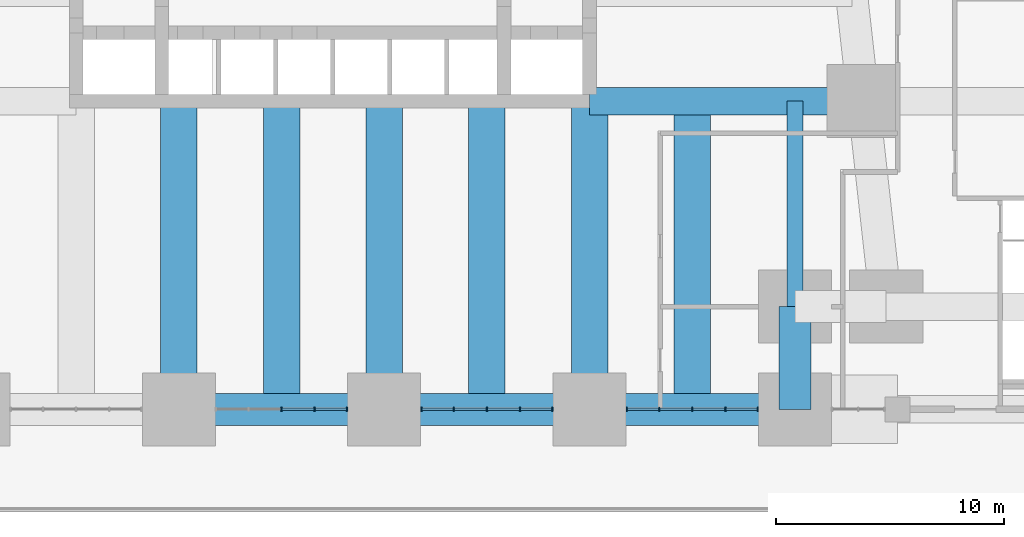
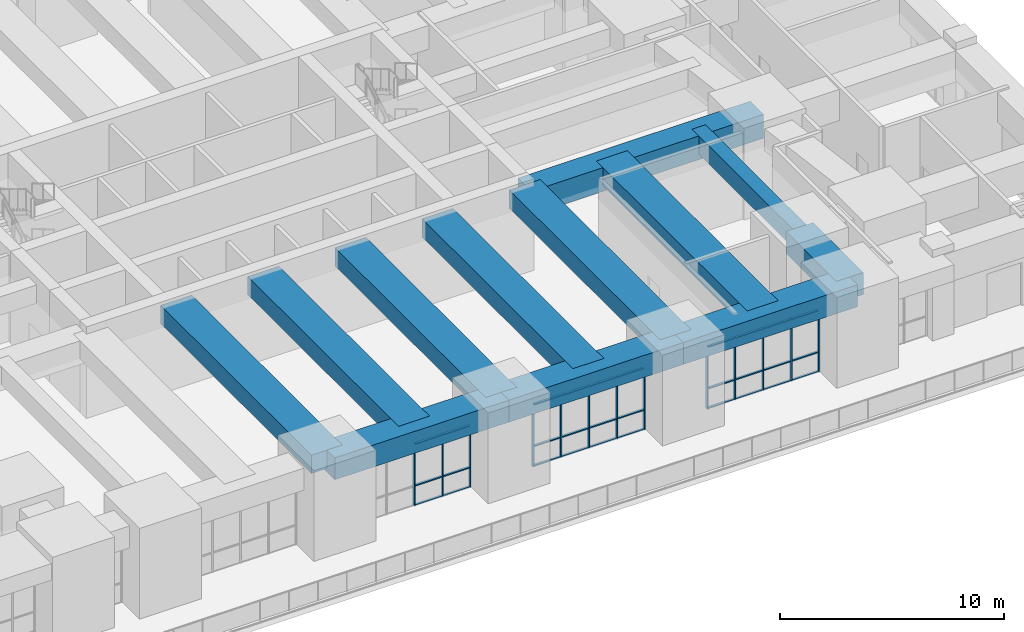
# One storey, part 6 of 22: 43 members, 12 beams, 3 elements without a shape of their own.
"""IFC4 building model written with IfcOpenShell, lengths in metres."""

from ifc_helpers import new_model, si_unit, direction, frame, origin, origin_2d, place, context, subcontext, project, spatial, rectangle, extrude, material, material_profile, profile_set, type_object, element, aggregate, save


model = new_model("IFC4")

# Units and contexts
model_context = context("Model", 3, precision=1e-05, world=origin(), true_north=direction((0.0, 1.0)))
body_context = subcontext(model_context, "Body", "Model", "MODEL_VIEW")
ifc_project = project(units=[si_unit("LENGTHUNIT", "METRE"), si_unit("AREAUNIT", "SQUARE_METRE"), si_unit("VOLUMEUNIT", "CUBIC_METRE"), si_unit("PLANEANGLEUNIT", "RADIAN"), si_unit("MASSUNIT", "GRAM", prefix="KILO")], contexts=[model_context])

# Site, building, storey
site_placement = place(None, origin())
site = spatial("IfcSite", under=ifc_project, at=site_placement, CompositionType="ELEMENT")
building_placement = place(site_placement, origin())
building = spatial("IfcBuilding", under=site, at=building_placement, Name="Kilele Tower Hotel", CompositionType="ELEMENT")
storey_placement = place(building_placement, frame((0.0, 0.0, 19.0)))
storey = spatial("IfcBuildingStorey", under=building, at=storey_placement, Name="L03", CompositionType="ELEMENT", Elevation=19.0)

# Beams
ifc_material_1 = material(Name="Concrete C60/75", Category="concrete")
ifc_material_profile_1 = material_profile(ifc_material_1, rectangle(XDim=1.60009765625, YDim=1.0, at=origin_2d()))
ifc_profile_set_1 = profile_set([ifc_material_profile_1], Name="Concrete C60/75")
beam_type_1 = type_object("IfcBeamType", Name="Beam RC 1600x1000 C60/75", PredefinedType="BEAM", material=ifc_profile_set_1)
for number, where, z_axis, x_axis, name in (
    (1, (18.0, 0.0, 4.10009765625), (0.0, 1.0, 0.0), (-1.0, 0.0, 0.0), "Beam BC1 level L04"),
    (2, (22.5, 0.0, 4.10009765625), (0.0, 1.0, 0.0), (-1.0, 0.0, 0.0), "Beam BC1 level L04"),
    (3, (27.0, 0.0, 4.10009765625), (0.0, 1.0, 0.0), (-1.0, 0.0, 0.0), "Beam BC1 level L04"),
    (4, (31.5, 0.0, 4.10009765625), (0.0, 1.0, 0.0), (-1.0, 0.0, 0.0), "Beam BC1 level L04"),
    (5, (36.0, 0.0, 4.10009765625), (0.0, 1.0, 0.0), (-1.0, 0.0, 0.0), "Beam BC1 level L04"),
    (6, (40.5, 0.0, 4.10009765625), (0.0, 1.0, 0.0), (-1.0, 0.0, 0.0), "Beam BC1 level L04"),
):
    element("IfcBeam", number, at=place(storey_placement, frame(where, z_axis=z_axis, x_axis=x_axis)), inside=storey, type_object=beam_type_1, Name=name, PredefinedType="BEAM", context=body_context, shape_type="SweptSolid", body=[
        extrude(rectangle(XDim=1.60009765625, YDim=1.0, at=origin_2d()), origin(), (0.0, 0.0, 1.0), 13.5),
    ])
ifc_material_2 = material(Name="Concrete C60/75", Category="concrete")
ifc_material_profile_2 = material_profile(ifc_material_2, rectangle(XDim=0.699951171875, YDim=1.0, at=origin_2d()))
ifc_profile_set_2 = profile_set([ifc_material_profile_2], Name="Concrete C60/75")
beam_type_2 = type_object("IfcBeamType", Name="Beam RC 700x1000 C60/75 mid span", PredefinedType="BEAM", material=ifc_profile_set_2)
beam_1_placement = place(storey_placement, frame((45.0, 4.5, 4.10009765625), z_axis=(0.0, 1.0, 0.0), x_axis=(-1.0, 0.0, 0.0)))
element("IfcBeam", 7, at=beam_1_placement, inside=storey, type_object=beam_type_2, Name="Beam B5 level L04", PredefinedType="BEAM", context=body_context, shape_type="SweptSolid", body=[
    extrude(rectangle(XDim=0.699951171875, YDim=1.0, at=origin_2d()), origin(), (0.0, 0.0, 1.0), 9.0),
])
ifc_material_3 = material(Name="Concrete C60/75", Category="concrete")
ifc_material_profile_3 = material_profile(ifc_material_3, rectangle(XDim=1.199951171875, YDim=1.300048828125, at=origin_2d()))
ifc_profile_set_3 = profile_set([ifc_material_profile_3], Name="Concrete C60/75")
beam_type_3 = type_object("IfcBeamType", Name="Girder RC 1200x1300 C60/75 tie", PredefinedType="BEAM", material=ifc_profile_set_3)
beam_2_placement = place(storey_placement, frame((48.0, 13.5, 3.949951171875), z_axis=(-1.0, 0.0, 0.0), x_axis=(0.0, -1.0, 0.0)))
element("IfcBeam", 8, at=beam_2_placement, inside=storey, type_object=beam_type_3, Name="Girder G8 level L04", PredefinedType="BEAM", context=body_context, shape_type="SweptSolid", body=[
    extrude(rectangle(XDim=1.199951171875, YDim=1.300048828125, at=origin_2d()), origin(), (0.0, 0.0, 1.0), 12.0),
])

# Curtain wall, members
ifc_material_4 = material(Name="Aluminium curtain wall, clear double glazing", Category="aluminium")
curtain_wall_type = type_object("IfcCurtainWallType", Name="Podium curtain wall CW-1", PredefinedType="NOTDEFINED", material=ifc_material_4)
curtain_wall_1_placement = place(storey_placement, origin())
curtain_wall_1 = element("IfcCurtainWall", 9, at=curtain_wall_1_placement, inside=storey, type_object=curtain_wall_type, Name="Podium curtain wall CW-1 L03", PredefinedType="NOTDEFINED")
ifc_material_5 = material(Name="Aluminium EN AW-6063 T6", Category="aluminium")
ifc_material_profile_4 = material_profile(ifc_material_5, rectangle(XDim=0.159912109375, YDim=0.06005859375, at=origin_2d()))
ifc_profile_set_4 = profile_set([ifc_material_profile_4], Name="Aluminium EN AW-6063 T6")
member_type_1 = type_object("IfcMemberType", Name="Mullion 60x160 CW-1", PredefinedType="MULLION", material=ifc_profile_set_4)
member_1_placement = place(storey_placement, frame((22.5, 0.0, 0.0), z_axis=(0.0, 0.0, 1.0), x_axis=(0.0, 1.0, 0.0)))
member_1 = element("IfcMember", 10, at=member_1_placement, type_object=member_type_1, Name="CW-1 mullion 3", PredefinedType="MULLION", context=body_context, shape_type="SweptSolid", body=[
    extrude(rectangle(XDim=0.159912109375, YDim=0.06005859375, at=origin_2d()), origin(), (0.0, 0.0, 1.0), 3.39990234375),
])
member_2_placement = place(storey_placement, frame((23.949951171875, 0.0, 0.0), z_axis=(0.0, 0.0, 1.0), x_axis=(0.0, 1.0, 0.0)))
member_2 = element("IfcMember", 11, at=member_2_placement, type_object=member_type_1, Name="CW-1 mullion 4", PredefinedType="MULLION", context=body_context, shape_type="SweptSolid", body=[
    extrude(rectangle(XDim=0.159912109375, YDim=0.06005859375, at=origin_2d()), origin(), (0.0, 0.0, 1.0), 3.39990234375),
])
member_3_placement = place(storey_placement, frame((25.3701171875, 0.0, 0.0), z_axis=(0.0, 0.0, 1.0), x_axis=(0.0, 1.0, 0.0)))
member_3 = element("IfcMember", 12, at=member_3_placement, type_object=member_type_1, Name="CW-1 mullion 5", PredefinedType="MULLION", context=body_context, shape_type="SweptSolid", body=[
    extrude(rectangle(XDim=0.159912109375, YDim=0.06005859375, at=origin_2d()), origin(), (0.0, 0.0, 1.0), 3.39990234375),
])

curtain_wall_2_placement = place(storey_placement, origin())
curtain_wall_2 = element("IfcCurtainWall", 13, at=curtain_wall_2_placement, inside=storey, type_object=curtain_wall_type, Name="Podium curtain wall CW-1 L03", PredefinedType="NOTDEFINED")
member_4_placement = place(storey_placement, frame((28.6298828125, 0.0, 0.0), z_axis=(0.0, 0.0, 1.0), x_axis=(0.0, 1.0, 0.0)))
member_4 = element("IfcMember", 14, at=member_4_placement, type_object=member_type_1, Name="CW-1 mullion 1", PredefinedType="MULLION", context=body_context, shape_type="SweptSolid", body=[
    extrude(rectangle(XDim=0.159912109375, YDim=0.06005859375, at=origin_2d()), origin(), (0.0, 0.0, 1.0), 3.39990234375),
])
member_5_placement = place(storey_placement, frame((30.050048828125, 0.0, 0.0), z_axis=(0.0, 0.0, 1.0), x_axis=(0.0, 1.0, 0.0)))
member_5 = element("IfcMember", 15, at=member_5_placement, type_object=member_type_1, Name="CW-1 mullion 2", PredefinedType="MULLION", context=body_context, shape_type="SweptSolid", body=[
    extrude(rectangle(XDim=0.159912109375, YDim=0.06005859375, at=origin_2d()), origin(), (0.0, 0.0, 1.0), 3.39990234375),
])
member_6_placement = place(storey_placement, frame((31.5, 0.0, 0.0), z_axis=(0.0, 0.0, 1.0), x_axis=(0.0, 1.0, 0.0)))
member_6 = element("IfcMember", 16, at=member_6_placement, type_object=member_type_1, Name="CW-1 mullion 3", PredefinedType="MULLION", context=body_context, shape_type="SweptSolid", body=[
    extrude(rectangle(XDim=0.159912109375, YDim=0.06005859375, at=origin_2d()), origin(), (0.0, 0.0, 1.0), 3.39990234375),
])
member_7_placement = place(storey_placement, frame((32.949951171875, 0.0, 0.0), z_axis=(0.0, 0.0, 1.0), x_axis=(0.0, 1.0, 0.0)))
member_7 = element("IfcMember", 17, at=member_7_placement, type_object=member_type_1, Name="CW-1 mullion 4", PredefinedType="MULLION", context=body_context, shape_type="SweptSolid", body=[
    extrude(rectangle(XDim=0.159912109375, YDim=0.06005859375, at=origin_2d()), origin(), (0.0, 0.0, 1.0), 3.39990234375),
])
member_8_placement = place(storey_placement, frame((34.3701171875, 0.0, 0.0), z_axis=(0.0, 0.0, 1.0), x_axis=(0.0, 1.0, 0.0)))
member_8 = element("IfcMember", 18, at=member_8_placement, type_object=member_type_1, Name="CW-1 mullion 5", PredefinedType="MULLION", context=body_context, shape_type="SweptSolid", body=[
    extrude(rectangle(XDim=0.159912109375, YDim=0.06005859375, at=origin_2d()), origin(), (0.0, 0.0, 1.0), 3.39990234375),
])

curtain_wall_3_placement = place(storey_placement, origin())
curtain_wall_3 = element("IfcCurtainWall", 19, at=curtain_wall_3_placement, inside=storey, type_object=curtain_wall_type, Name="Podium curtain wall CW-1 L03", PredefinedType="NOTDEFINED")
member_9_placement = place(storey_placement, frame((37.6298828125, 0.0, 0.0), z_axis=(0.0, 0.0, 1.0), x_axis=(0.0, 1.0, 0.0)))
member_9 = element("IfcMember", 20, at=member_9_placement, type_object=member_type_1, Name="CW-1 mullion 1", PredefinedType="MULLION", context=body_context, shape_type="SweptSolid", body=[
    extrude(rectangle(XDim=0.159912109375, YDim=0.06005859375, at=origin_2d()), origin(), (0.0, 0.0, 1.0), 3.39990234375),
])
member_10_placement = place(storey_placement, frame((39.050048828125, 0.0, 0.0), z_axis=(0.0, 0.0, 1.0), x_axis=(0.0, 1.0, 0.0)))
member_10 = element("IfcMember", 21, at=member_10_placement, type_object=member_type_1, Name="CW-1 mullion 2", PredefinedType="MULLION", context=body_context, shape_type="SweptSolid", body=[
    extrude(rectangle(XDim=0.159912109375, YDim=0.06005859375, at=origin_2d()), origin(), (0.0, 0.0, 1.0), 3.39990234375),
])
member_11_placement = place(storey_placement, frame((40.5, 0.0, 0.0), z_axis=(0.0, 0.0, 1.0), x_axis=(0.0, 1.0, 0.0)))
member_11 = element("IfcMember", 22, at=member_11_placement, type_object=member_type_1, Name="CW-1 mullion 3", PredefinedType="MULLION", context=body_context, shape_type="SweptSolid", body=[
    extrude(rectangle(XDim=0.159912109375, YDim=0.06005859375, at=origin_2d()), origin(), (0.0, 0.0, 1.0), 3.39990234375),
])
member_12_placement = place(storey_placement, frame((41.949951171875, 0.0, 0.0), z_axis=(0.0, 0.0, 1.0), x_axis=(0.0, 1.0, 0.0)))
member_12 = element("IfcMember", 23, at=member_12_placement, type_object=member_type_1, Name="CW-1 mullion 4", PredefinedType="MULLION", context=body_context, shape_type="SweptSolid", body=[
    extrude(rectangle(XDim=0.159912109375, YDim=0.06005859375, at=origin_2d()), origin(), (0.0, 0.0, 1.0), 3.39990234375),
])
member_13_placement = place(storey_placement, frame((43.3701171875, 0.0, 0.0), z_axis=(0.0, 0.0, 1.0), x_axis=(0.0, 1.0, 0.0)))
member_13 = element("IfcMember", 24, at=member_13_placement, type_object=member_type_1, Name="CW-1 mullion 5", PredefinedType="MULLION", context=body_context, shape_type="SweptSolid", body=[
    extrude(rectangle(XDim=0.159912109375, YDim=0.06005859375, at=origin_2d()), origin(), (0.0, 0.0, 1.0), 3.39990234375),
])

# Beams
ifc_material_6 = material(Name="Concrete C60/75", Category="concrete")
ifc_material_profile_5 = material_profile(ifc_material_6, rectangle(XDim=1.39990234375, YDim=1.199951171875, at=origin_2d()))
ifc_profile_set_5 = profile_set([ifc_material_profile_5], Name="Concrete C60/75")
beam_type_4 = type_object("IfcBeamType", Name="Spandrel RC 1400x1200 C60/75", PredefinedType="SPANDREL", material=ifc_profile_set_5)
for number, where, z_axis, x_axis, name in (
    (25, (18.0, 0.0, 4.0), (1.0, 0.0, 0.0), (0.0, 1.0, 0.0), "Spandrel SP10 level L04"),
    (26, (27.0, 0.0, 4.0), (1.0, 0.0, 0.0), (0.0, 1.0, 0.0), "Spandrel SP10 level L04"),
    (27, (36.0, 0.0, 4.0), (1.0, 0.0, 0.0), (0.0, 1.0, 0.0), "Spandrel SP10 level L04"),
):
    element("IfcBeam", number, at=place(storey_placement, frame(where, z_axis=z_axis, x_axis=x_axis)), inside=storey, type_object=beam_type_4, Name=name, PredefinedType="SPANDREL", context=body_context, shape_type="SweptSolid", body=[
        extrude(rectangle(XDim=1.39990234375, YDim=1.199951171875, at=origin_2d()), origin(), (0.0, 0.0, 1.0), 9.0),
    ])
beam_3_placement = place(storey_placement, frame((45.0, 0.0, 4.0), z_axis=(0.0, 1.0, 0.0), x_axis=(-1.0, 0.0, 0.0)))
element("IfcBeam", 28, at=beam_3_placement, inside=storey, type_object=beam_type_4, Name="Spandrel SP10 level L04", PredefinedType="SPANDREL", context=body_context, shape_type="SweptSolid", body=[
    extrude(rectangle(XDim=1.39990234375, YDim=1.199951171875, at=origin_2d()), origin(), (0.0, 0.0, 1.0), 4.5),
])

# Member
ifc_material_7 = material(Name="Aluminium EN AW-6063 T6", Category="aluminium")
ifc_material_profile_6 = material_profile(ifc_material_7, rectangle(XDim=0.1201171875, YDim=0.06005859375, at=origin_2d()))
ifc_profile_set_6 = profile_set([ifc_material_profile_6], Name="Aluminium EN AW-6063 T6")
member_type_2 = type_object("IfcMemberType", Name="Transom 60x120 CW-1", PredefinedType="USERDEFINED", material=ifc_profile_set_6)
member_14_placement = place(storey_placement, frame((22.530029296875, 0.0, 0.030029296875), z_axis=(1.0, 0.0, 0.0), x_axis=(0.0, 1.0, 0.0)))
member_14 = element("IfcMember", 29, at=member_14_placement, type_object=member_type_2, Name="CW-1 transom 3.1", ObjectType="TRANSOM", PredefinedType="USERDEFINED", context=body_context, shape_type="SweptSolid", body=[
    extrude(rectangle(XDim=0.1201171875, YDim=0.06005859375, at=origin_2d()), origin(), (0.0, 0.0, 1.0), 1.389892578125),
])

member_15_placement = place(storey_placement, frame((22.530029296875, 0.0, 1.10009765625), z_axis=(1.0, 0.0, 0.0), x_axis=(0.0, 1.0, 0.0)))
member_15 = element("IfcMember", 30, at=member_15_placement, type_object=member_type_2, Name="CW-1 transom 3.2", ObjectType="TRANSOM", PredefinedType="USERDEFINED", context=body_context, shape_type="SweptSolid", body=[
    extrude(rectangle(XDim=0.1201171875, YDim=0.06005859375, at=origin_2d()), origin(), (0.0, 0.0, 1.0), 1.389892578125),
])

member_16_placement = place(storey_placement, frame((22.530029296875, 0.0, 3.3701171875), z_axis=(1.0, 0.0, 0.0), x_axis=(0.0, 1.0, 0.0)))
member_16 = element("IfcMember", 31, at=member_16_placement, type_object=member_type_2, Name="CW-1 transom 3.3", ObjectType="TRANSOM", PredefinedType="USERDEFINED", context=body_context, shape_type="SweptSolid", body=[
    extrude(rectangle(XDim=0.1201171875, YDim=0.06005859375, at=origin_2d()), origin(), (0.0, 0.0, 1.0), 1.389892578125),
])

member_17_placement = place(storey_placement, frame((23.97998046875, 0.0, 0.030029296875), z_axis=(1.0, 0.0, 0.0), x_axis=(0.0, 1.0, 0.0)))
member_17 = element("IfcMember", 32, at=member_17_placement, type_object=member_type_2, Name="CW-1 transom 4.1", ObjectType="TRANSOM", PredefinedType="USERDEFINED", context=body_context, shape_type="SweptSolid", body=[
    extrude(rectangle(XDim=0.1201171875, YDim=0.06005859375, at=origin_2d()), origin(), (0.0, 0.0, 1.0), 1.360107421875),
])

member_18_placement = place(storey_placement, frame((23.97998046875, 0.0, 1.10009765625), z_axis=(1.0, 0.0, 0.0), x_axis=(0.0, 1.0, 0.0)))
member_18 = element("IfcMember", 33, at=member_18_placement, type_object=member_type_2, Name="CW-1 transom 4.2", ObjectType="TRANSOM", PredefinedType="USERDEFINED", context=body_context, shape_type="SweptSolid", body=[
    extrude(rectangle(XDim=0.1201171875, YDim=0.06005859375, at=origin_2d()), origin(), (0.0, 0.0, 1.0), 1.360107421875),
])

member_19_placement = place(storey_placement, frame((23.97998046875, 0.0, 3.3701171875), z_axis=(1.0, 0.0, 0.0), x_axis=(0.0, 1.0, 0.0)))
member_19 = element("IfcMember", 34, at=member_19_placement, type_object=member_type_2, Name="CW-1 transom 4.3", ObjectType="TRANSOM", PredefinedType="USERDEFINED", context=body_context, shape_type="SweptSolid", body=[
    extrude(rectangle(XDim=0.1201171875, YDim=0.06005859375, at=origin_2d()), origin(), (0.0, 0.0, 1.0), 1.360107421875),
])

aggregate(curtain_wall_1, [member_1, member_2, member_3, member_14, member_15, member_16, member_17, member_18, member_19])

member_20_placement = place(storey_placement, frame((28.659912109375, 0.0, 0.030029296875), z_axis=(1.0, 0.0, 0.0), x_axis=(0.0, 1.0, 0.0)))
member_20 = element("IfcMember", 35, at=member_20_placement, type_object=member_type_2, Name="CW-1 transom 1.1", ObjectType="TRANSOM", PredefinedType="USERDEFINED", context=body_context, shape_type="SweptSolid", body=[
    extrude(rectangle(XDim=0.1201171875, YDim=0.06005859375, at=origin_2d()), origin(), (0.0, 0.0, 1.0), 1.360107421875),
])

member_21_placement = place(storey_placement, frame((28.659912109375, 0.0, 1.10009765625), z_axis=(1.0, 0.0, 0.0), x_axis=(0.0, 1.0, 0.0)))
member_21 = element("IfcMember", 36, at=member_21_placement, type_object=member_type_2, Name="CW-1 transom 1.2", ObjectType="TRANSOM", PredefinedType="USERDEFINED", context=body_context, shape_type="SweptSolid", body=[
    extrude(rectangle(XDim=0.1201171875, YDim=0.06005859375, at=origin_2d()), origin(), (0.0, 0.0, 1.0), 1.360107421875),
])

member_22_placement = place(storey_placement, frame((28.659912109375, 0.0, 3.3701171875), z_axis=(1.0, 0.0, 0.0), x_axis=(0.0, 1.0, 0.0)))
member_22 = element("IfcMember", 37, at=member_22_placement, type_object=member_type_2, Name="CW-1 transom 1.3", ObjectType="TRANSOM", PredefinedType="USERDEFINED", context=body_context, shape_type="SweptSolid", body=[
    extrude(rectangle(XDim=0.1201171875, YDim=0.06005859375, at=origin_2d()), origin(), (0.0, 0.0, 1.0), 1.360107421875),
])

member_23_placement = place(storey_placement, frame((30.080078125, 0.0, 0.030029296875), z_axis=(1.0, 0.0, 0.0), x_axis=(0.0, 1.0, 0.0)))
member_23 = element("IfcMember", 38, at=member_23_placement, type_object=member_type_2, Name="CW-1 transom 2.1", ObjectType="TRANSOM", PredefinedType="USERDEFINED", context=body_context, shape_type="SweptSolid", body=[
    extrude(rectangle(XDim=0.1201171875, YDim=0.06005859375, at=origin_2d()), origin(), (0.0, 0.0, 1.0), 1.389892578125),
])

member_24_placement = place(storey_placement, frame((30.080078125, 0.0, 1.10009765625), z_axis=(1.0, 0.0, 0.0), x_axis=(0.0, 1.0, 0.0)))
member_24 = element("IfcMember", 39, at=member_24_placement, type_object=member_type_2, Name="CW-1 transom 2.2", ObjectType="TRANSOM", PredefinedType="USERDEFINED", context=body_context, shape_type="SweptSolid", body=[
    extrude(rectangle(XDim=0.1201171875, YDim=0.06005859375, at=origin_2d()), origin(), (0.0, 0.0, 1.0), 1.389892578125),
])

member_25_placement = place(storey_placement, frame((30.080078125, 0.0, 3.3701171875), z_axis=(1.0, 0.0, 0.0), x_axis=(0.0, 1.0, 0.0)))
member_25 = element("IfcMember", 40, at=member_25_placement, type_object=member_type_2, Name="CW-1 transom 2.3", ObjectType="TRANSOM", PredefinedType="USERDEFINED", context=body_context, shape_type="SweptSolid", body=[
    extrude(rectangle(XDim=0.1201171875, YDim=0.06005859375, at=origin_2d()), origin(), (0.0, 0.0, 1.0), 1.389892578125),
])

member_26_placement = place(storey_placement, frame((31.530029296875, 0.0, 0.030029296875), z_axis=(1.0, 0.0, 0.0), x_axis=(0.0, 1.0, 0.0)))
member_26 = element("IfcMember", 41, at=member_26_placement, type_object=member_type_2, Name="CW-1 transom 3.1", ObjectType="TRANSOM", PredefinedType="USERDEFINED", context=body_context, shape_type="SweptSolid", body=[
    extrude(rectangle(XDim=0.1201171875, YDim=0.06005859375, at=origin_2d()), origin(), (0.0, 0.0, 1.0), 1.389892578125),
])

member_27_placement = place(storey_placement, frame((31.530029296875, 0.0, 1.10009765625), z_axis=(1.0, 0.0, 0.0), x_axis=(0.0, 1.0, 0.0)))
member_27 = element("IfcMember", 42, at=member_27_placement, type_object=member_type_2, Name="CW-1 transom 3.2", ObjectType="TRANSOM", PredefinedType="USERDEFINED", context=body_context, shape_type="SweptSolid", body=[
    extrude(rectangle(XDim=0.1201171875, YDim=0.06005859375, at=origin_2d()), origin(), (0.0, 0.0, 1.0), 1.389892578125),
])

member_28_placement = place(storey_placement, frame((31.530029296875, 0.0, 3.3701171875), z_axis=(1.0, 0.0, 0.0), x_axis=(0.0, 1.0, 0.0)))
member_28 = element("IfcMember", 43, at=member_28_placement, type_object=member_type_2, Name="CW-1 transom 3.3", ObjectType="TRANSOM", PredefinedType="USERDEFINED", context=body_context, shape_type="SweptSolid", body=[
    extrude(rectangle(XDim=0.1201171875, YDim=0.06005859375, at=origin_2d()), origin(), (0.0, 0.0, 1.0), 1.389892578125),
])

member_29_placement = place(storey_placement, frame((32.97998046875, 0.0, 0.030029296875), z_axis=(1.0, 0.0, 0.0), x_axis=(0.0, 1.0, 0.0)))
member_29 = element("IfcMember", 44, at=member_29_placement, type_object=member_type_2, Name="CW-1 transom 4.1", ObjectType="TRANSOM", PredefinedType="USERDEFINED", context=body_context, shape_type="SweptSolid", body=[
    extrude(rectangle(XDim=0.1201171875, YDim=0.06005859375, at=origin_2d()), origin(), (0.0, 0.0, 1.0), 1.360107421875),
])

member_30_placement = place(storey_placement, frame((32.97998046875, 0.0, 1.10009765625), z_axis=(1.0, 0.0, 0.0), x_axis=(0.0, 1.0, 0.0)))
member_30 = element("IfcMember", 45, at=member_30_placement, type_object=member_type_2, Name="CW-1 transom 4.2", ObjectType="TRANSOM", PredefinedType="USERDEFINED", context=body_context, shape_type="SweptSolid", body=[
    extrude(rectangle(XDim=0.1201171875, YDim=0.06005859375, at=origin_2d()), origin(), (0.0, 0.0, 1.0), 1.360107421875),
])

member_31_placement = place(storey_placement, frame((32.97998046875, 0.0, 3.3701171875), z_axis=(1.0, 0.0, 0.0), x_axis=(0.0, 1.0, 0.0)))
member_31 = element("IfcMember", 46, at=member_31_placement, type_object=member_type_2, Name="CW-1 transom 4.3", ObjectType="TRANSOM", PredefinedType="USERDEFINED", context=body_context, shape_type="SweptSolid", body=[
    extrude(rectangle(XDim=0.1201171875, YDim=0.06005859375, at=origin_2d()), origin(), (0.0, 0.0, 1.0), 1.360107421875),
])

aggregate(curtain_wall_2, [member_4, member_5, member_6, member_7, member_8, member_20, member_21, member_22, member_23, member_24, member_25, member_26, member_27, member_28, member_29, member_30, member_31])

member_32_placement = place(storey_placement, frame((37.659912109375, 0.0, 0.030029296875), z_axis=(1.0, 0.0, 0.0), x_axis=(0.0, 1.0, 0.0)))
member_32 = element("IfcMember", 47, at=member_32_placement, type_object=member_type_2, Name="CW-1 transom 1.1", ObjectType="TRANSOM", PredefinedType="USERDEFINED", context=body_context, shape_type="SweptSolid", body=[
    extrude(rectangle(XDim=0.1201171875, YDim=0.06005859375, at=origin_2d()), origin(), (0.0, 0.0, 1.0), 1.360107421875),
])

member_33_placement = place(storey_placement, frame((37.659912109375, 0.0, 1.10009765625), z_axis=(1.0, 0.0, 0.0), x_axis=(0.0, 1.0, 0.0)))
member_33 = element("IfcMember", 48, at=member_33_placement, type_object=member_type_2, Name="CW-1 transom 1.2", ObjectType="TRANSOM", PredefinedType="USERDEFINED", context=body_context, shape_type="SweptSolid", body=[
    extrude(rectangle(XDim=0.1201171875, YDim=0.06005859375, at=origin_2d()), origin(), (0.0, 0.0, 1.0), 1.360107421875),
])

member_34_placement = place(storey_placement, frame((37.659912109375, 0.0, 3.3701171875), z_axis=(1.0, 0.0, 0.0), x_axis=(0.0, 1.0, 0.0)))
member_34 = element("IfcMember", 49, at=member_34_placement, type_object=member_type_2, Name="CW-1 transom 1.3", ObjectType="TRANSOM", PredefinedType="USERDEFINED", context=body_context, shape_type="SweptSolid", body=[
    extrude(rectangle(XDim=0.1201171875, YDim=0.06005859375, at=origin_2d()), origin(), (0.0, 0.0, 1.0), 1.360107421875),
])

member_35_placement = place(storey_placement, frame((39.080078125, 0.0, 0.030029296875), z_axis=(1.0, 0.0, 0.0), x_axis=(0.0, 1.0, 0.0)))
member_35 = element("IfcMember", 50, at=member_35_placement, type_object=member_type_2, Name="CW-1 transom 2.1", ObjectType="TRANSOM", PredefinedType="USERDEFINED", context=body_context, shape_type="SweptSolid", body=[
    extrude(rectangle(XDim=0.1201171875, YDim=0.06005859375, at=origin_2d()), origin(), (0.0, 0.0, 1.0), 1.389892578125),
])

member_36_placement = place(storey_placement, frame((39.080078125, 0.0, 1.10009765625), z_axis=(1.0, 0.0, 0.0), x_axis=(0.0, 1.0, 0.0)))
member_36 = element("IfcMember", 51, at=member_36_placement, type_object=member_type_2, Name="CW-1 transom 2.2", ObjectType="TRANSOM", PredefinedType="USERDEFINED", context=body_context, shape_type="SweptSolid", body=[
    extrude(rectangle(XDim=0.1201171875, YDim=0.06005859375, at=origin_2d()), origin(), (0.0, 0.0, 1.0), 1.389892578125),
])

member_37_placement = place(storey_placement, frame((39.080078125, 0.0, 3.3701171875), z_axis=(1.0, 0.0, 0.0), x_axis=(0.0, 1.0, 0.0)))
member_37 = element("IfcMember", 52, at=member_37_placement, type_object=member_type_2, Name="CW-1 transom 2.3", ObjectType="TRANSOM", PredefinedType="USERDEFINED", context=body_context, shape_type="SweptSolid", body=[
    extrude(rectangle(XDim=0.1201171875, YDim=0.06005859375, at=origin_2d()), origin(), (0.0, 0.0, 1.0), 1.389892578125),
])

member_38_placement = place(storey_placement, frame((40.530029296875, 0.0, 0.030029296875), z_axis=(1.0, 0.0, 0.0), x_axis=(0.0, 1.0, 0.0)))
member_38 = element("IfcMember", 53, at=member_38_placement, type_object=member_type_2, Name="CW-1 transom 3.1", ObjectType="TRANSOM", PredefinedType="USERDEFINED", context=body_context, shape_type="SweptSolid", body=[
    extrude(rectangle(XDim=0.1201171875, YDim=0.06005859375, at=origin_2d()), origin(), (0.0, 0.0, 1.0), 1.389892578125),
])

member_39_placement = place(storey_placement, frame((40.530029296875, 0.0, 1.10009765625), z_axis=(1.0, 0.0, 0.0), x_axis=(0.0, 1.0, 0.0)))
member_39 = element("IfcMember", 54, at=member_39_placement, type_object=member_type_2, Name="CW-1 transom 3.2", ObjectType="TRANSOM", PredefinedType="USERDEFINED", context=body_context, shape_type="SweptSolid", body=[
    extrude(rectangle(XDim=0.1201171875, YDim=0.06005859375, at=origin_2d()), origin(), (0.0, 0.0, 1.0), 1.389892578125),
])

member_40_placement = place(storey_placement, frame((40.530029296875, 0.0, 3.3701171875), z_axis=(1.0, 0.0, 0.0), x_axis=(0.0, 1.0, 0.0)))
member_40 = element("IfcMember", 55, at=member_40_placement, type_object=member_type_2, Name="CW-1 transom 3.3", ObjectType="TRANSOM", PredefinedType="USERDEFINED", context=body_context, shape_type="SweptSolid", body=[
    extrude(rectangle(XDim=0.1201171875, YDim=0.06005859375, at=origin_2d()), origin(), (0.0, 0.0, 1.0), 1.389892578125),
])

member_41_placement = place(storey_placement, frame((41.97998046875, 0.0, 0.030029296875), z_axis=(1.0, 0.0, 0.0), x_axis=(0.0, 1.0, 0.0)))
member_41 = element("IfcMember", 56, at=member_41_placement, type_object=member_type_2, Name="CW-1 transom 4.1", ObjectType="TRANSOM", PredefinedType="USERDEFINED", context=body_context, shape_type="SweptSolid", body=[
    extrude(rectangle(XDim=0.1201171875, YDim=0.06005859375, at=origin_2d()), origin(), (0.0, 0.0, 1.0), 1.360107421875),
])

member_42_placement = place(storey_placement, frame((41.97998046875, 0.0, 1.10009765625), z_axis=(1.0, 0.0, 0.0), x_axis=(0.0, 1.0, 0.0)))
member_42 = element("IfcMember", 57, at=member_42_placement, type_object=member_type_2, Name="CW-1 transom 4.2", ObjectType="TRANSOM", PredefinedType="USERDEFINED", context=body_context, shape_type="SweptSolid", body=[
    extrude(rectangle(XDim=0.1201171875, YDim=0.06005859375, at=origin_2d()), origin(), (0.0, 0.0, 1.0), 1.360107421875),
])

member_43_placement = place(storey_placement, frame((41.97998046875, 0.0, 3.3701171875), z_axis=(1.0, 0.0, 0.0), x_axis=(0.0, 1.0, 0.0)))
member_43 = element("IfcMember", 58, at=member_43_placement, type_object=member_type_2, Name="CW-1 transom 4.3", ObjectType="TRANSOM", PredefinedType="USERDEFINED", context=body_context, shape_type="SweptSolid", body=[
    extrude(rectangle(XDim=0.1201171875, YDim=0.06005859375, at=origin_2d()), origin(), (0.0, 0.0, 1.0), 1.360107421875),
])

aggregate(curtain_wall_3, [member_9, member_10, member_11, member_12, member_13, member_32, member_33, member_34, member_35, member_36, member_37, member_38, member_39, member_40, member_41, member_42, member_43])

save(model, "model.ifc")
